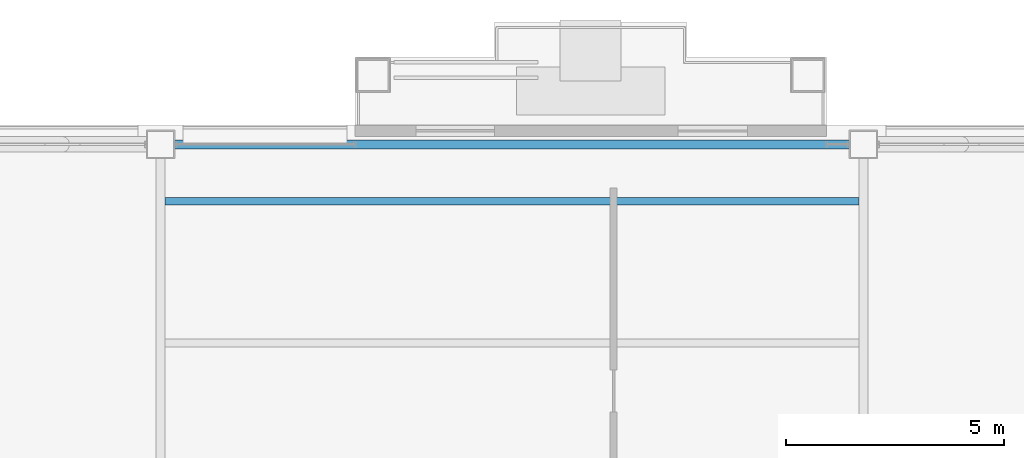
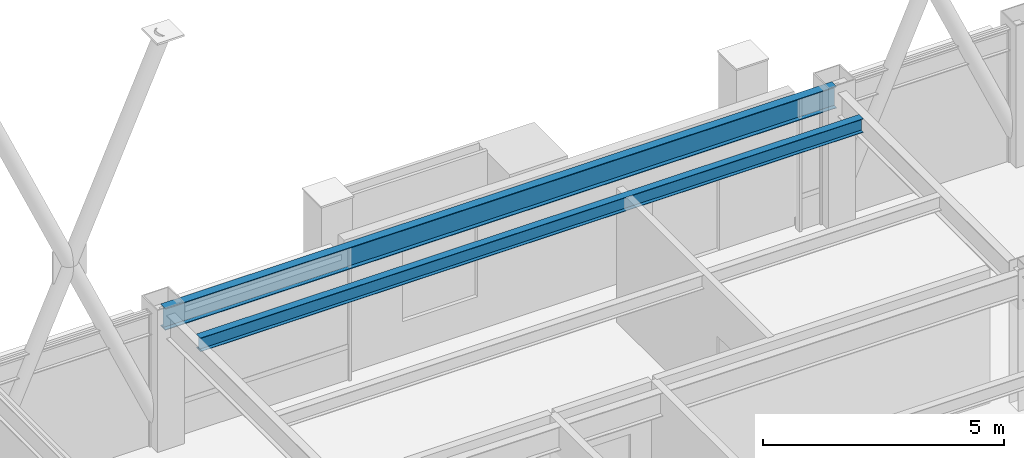
# One storey, part 21 of 30: 2 beams.
"""IFC4 building model written with IfcOpenShell, lengths in metres."""

import ifcopenshell
import ifcopenshell.guid

model = None  # the IFC model being written
_history = None  # IfcOwnerHistory: only IFC2X3 demands one
_inside = {}  # id of a spatial element -> (the spatial element, [elements in it])
_under = {}  # id of a project, library or spatial element -> (it, [spatial elements below it])
_declared = {}  # id of a project -> (the project, [libraries it declares])
_typed = {}  # id of a type object -> (the type object, [elements of that type])
_made_of = {}  # id of a material, layer set ... -> (it, [elements and type objects made of it])


def new_model(schema):
    """Start an empty IFC model of exactly this schema.

    Asked for "IFC4X3", IfcOpenShell would pick the latest addendum, in which some entities
    have other attributes; the version numbers below select the first issue.
    IFC2X3 requires an IfcOwnerHistory on every rooted entity: one is made here for all.
    """
    global model, _history
    if schema == "IFC4X3":
        model = ifcopenshell.file(schema_version=(4, 3, 0, 0))
    else:
        model = ifcopenshell.file(schema=schema)
    _inside.clear()
    _under.clear()
    _declared.clear()
    _typed.clear()
    _made_of.clear()
    _history = None
    if model.schema == "IFC2X3":
        org = make("IfcOrganization", Name="unknown")
        user = make(
            "IfcPersonAndOrganization",
            ThePerson=make("IfcPerson", FamilyName="unknown"),
            TheOrganization=org,
        )
        app = make(
            "IfcApplication",
            ApplicationDeveloper=org,
            Version="unknown",
            ApplicationFullName="unknown",
            ApplicationIdentifier="unknown",
        )
        _history = make(
            "IfcOwnerHistory",
            OwningUser=user,
            OwningApplication=app,
            ChangeAction="ADDED",
            CreationDate=0,
        )
    return model


def make(cls, **values):
    """One entity of the class cls with the attributes given. An attribute that is None is left unset."""
    return model.create_entity(
        cls, **{name: value for name, value in values.items() if value is not None}
    )


def rooted(cls, **values):
    """An entity with a GlobalId (a new one), such as an element, a storey or a relation."""
    return make(cls, GlobalId=ifcopenshell.guid.new(), OwnerHistory=_history, **values)


def si_unit(unit_type, name, prefix=None):
    """IfcSIUnit, for example si_unit("LENGTHUNIT", "METRE", prefix="MILLI")."""
    return make("IfcSIUnit", UnitType=unit_type, Prefix=prefix, Name=name)


def assignment(units):
    """IfcUnitAssignment: the units of a project."""
    return None if units is None else make("IfcUnitAssignment", Units=units)


def point(xyz):
    """IfcCartesianPoint."""
    return None if xyz is None else make("IfcCartesianPoint", Coordinates=xyz)


def direction(xyz):
    """IfcDirection."""
    return None if xyz is None else make("IfcDirection", DirectionRatios=xyz)


def frame(location, z_axis=None, x_axis=None):
    """IfcAxis2Placement3D, a coordinate frame: its origin and axes. An axis left out is left unset."""
    return make(
        "IfcAxis2Placement3D",
        Location=point(location),
        Axis=direction(z_axis),
        RefDirection=direction(x_axis),
    )


def frame_2d(location, x_axis=None):
    """IfcAxis2Placement2D, a coordinate frame in the plane: its origin and x axis."""
    return make(
        "IfcAxis2Placement2D", Location=point(location), RefDirection=direction(x_axis)
    )


def origin():
    """The frame at (0, 0, 0) with its axes left unset."""
    return frame((0.0, 0.0, 0.0))


def origin_2d():
    """The frame at (0, 0) in the plane with its x axis left unset."""
    return frame_2d((0.0, 0.0))


def place(relative_to, where):
    """IfcLocalPlacement: puts the frame where relative to a parent placement (None: the world)."""
    return make(
        "IfcLocalPlacement", PlacementRelTo=relative_to, RelativePlacement=where
    )


def context(
    kind, dimensions, precision=None, world=None, true_north=None, identifier=None
):
    """IfcGeometricRepresentationContext, for example the 3D "Model" context."""
    return make(
        "IfcGeometricRepresentationContext",
        ContextIdentifier=identifier,
        ContextType=kind,
        CoordinateSpaceDimension=dimensions,
        Precision=precision,
        WorldCoordinateSystem=world,
        TrueNorth=true_north,
    )


def subcontext(parent, identifier, kind, view, scale=None):
    """IfcGeometricRepresentationSubContext, for example "Body" below "Model"."""
    return make(
        "IfcGeometricRepresentationSubContext",
        ContextIdentifier=identifier,
        ContextType=kind,
        ParentContext=parent,
        TargetScale=scale,
        TargetView=view,
    )


def project(units=None, contexts=None):
    """IfcProject with its units and contexts."""
    return rooted(
        "IfcProject",
        Name="project",
        RepresentationContexts=contexts,
        UnitsInContext=assignment(units),
    )


def spatial(cls, under=None, at=None, **own):
    """A site, building, storey or space (cls), placed at a placement, below another one or the project."""
    s = rooted(cls, ObjectPlacement=at, **own)
    if under is not None:
        _under.setdefault(under.id(), (under, []))[1].append(s)
    return s


def profile(cls, at=None, kind="AREA", **sizes):
    """A parametric profile (cls). Its sizes go by their IFC names, for example OverallWidth=200.0."""
    return make(cls, ProfileType=kind, Position=at, **sizes)


def i_section(**sizes):
    """IfcIShapeProfileDef."""
    return profile("IfcIShapeProfileDef", **sizes)


def extrude(swept, where, along, depth):
    """IfcExtrudedAreaSolid: the profile swept, set in the frame where, extruded along a direction by depth."""
    return make(
        "IfcExtrudedAreaSolid",
        SweptArea=swept,
        Position=where,
        ExtrudedDirection=direction(along),
        Depth=depth,
    )


def shape(context_of_items, identifier, shape_type, items):
    """IfcShapeRepresentation: the items that make up one representation, for example the "Body"."""
    return make(
        "IfcShapeRepresentation",
        ContextOfItems=context_of_items,
        RepresentationIdentifier=identifier,
        RepresentationType=shape_type,
        Items=items,
    )


def material(Name=None, Category=None):
    """IfcMaterial."""
    return make("IfcMaterial", Name=Name, Category=Category)


def material_profile(
    of_material, cross_section, Name=None, Category=None, Priority=None
):
    """IfcMaterialProfile: a cross section and its material."""
    return make(
        "IfcMaterialProfile",
        Name=Name,
        Material=of_material,
        Profile=cross_section,
        Priority=Priority,
        Category=Category,
    )


def profile_set(profiles, Name=None, composite=None):
    """IfcMaterialProfileSet."""
    return make(
        "IfcMaterialProfileSet",
        Name=Name,
        MaterialProfiles=profiles,
        CompositeProfile=composite,
    )


def made_of(thing, what):
    """Note that an element or type object is made of a material, layer set ...; save() writes the relation."""
    if what is not None:
        _made_of.setdefault(what.id(), (what, []))[1].append(thing)
    return thing


def type_object(cls, material=None, **own):
    """A type object (cls), such as IfcWallType, which elements share."""
    return made_of(rooted(cls, **own), material)


def element(
    cls,
    number,
    at=None,
    inside=None,
    cuts=None,
    type_object=None,
    material=None,
    context=None,
    identifier="Body",
    shape_type=None,
    held_by="IfcProductDefinitionShape",
    body=None,
    shapes=None,
    **own,
):
    """One element of the class cls, such as IfcWall. Its Tag is "e" and its number.

    at: its placement. inside: the storey or other place that contains it. cuts: it is an
    opening in that element (IfcRelVoidsElement). A single representation is given by context,
    identifier, shape_type and body (its items); several are given by shapes. held_by: the class
    of the entity that holds the representations. save() writes the other relations.
    """
    e = rooted(cls, Tag="e%d" % number, ObjectPlacement=at, **own)
    if body is not None:
        shapes = [shape(context, identifier, shape_type, body)]
    if shapes is not None:
        e.Representation = make(held_by, Representations=shapes)
    if inside is not None:
        _inside.setdefault(inside.id(), (inside, []))[1].append(e)
    if cuts is not None:
        rooted(
            "IfcRelVoidsElement", RelatingBuildingElement=cuts, RelatedOpeningElement=e
        )
    if type_object is not None:
        _typed.setdefault(type_object.id(), (type_object, []))[1].append(e)
    return made_of(e, material)


def aggregate(whole, parts):
    """IfcRelAggregates: a whole, such as a stair, and the parts it consists of."""
    return rooted("IfcRelAggregates", RelatingObject=whole, RelatedObjects=parts)


def save(model, path):
    """Write the relations noted so far, then the file.

    IfcRelAggregates (storeys below a building ...), IfcRelContainedInSpatialStructure (elements
    in a storey), IfcRelDefinesByType, IfcRelAssociatesMaterial and IfcRelDeclares: one each for
    every whole, place, type object, material and project.
    """
    for whole, parts in _under.values():
        aggregate(whole, parts)
    for where, things in _inside.values():
        rooted(
            "IfcRelContainedInSpatialStructure",
            RelatedElements=things,
            RelatingStructure=where,
        )
    for kind, things in _typed.values():
        rooted("IfcRelDefinesByType", RelatedObjects=things, RelatingType=kind)
    for what, things in _made_of.values():
        rooted("IfcRelAssociatesMaterial", RelatedObjects=things, RelatingMaterial=what)
    for by, libraries in _declared.values():
        rooted("IfcRelDeclares", RelatingContext=by, RelatedDefinitions=libraries)
    model.write(path)


model = new_model("IFC4")

# Units and contexts
model_context = context("Model", 3, precision=1e-05, world=origin(), true_north=direction((0.0, 1.0)))
body_context = subcontext(model_context, "Body", "Model", "MODEL_VIEW")
ifc_project = project(units=[si_unit("LENGTHUNIT", "METRE"), si_unit("AREAUNIT", "SQUARE_METRE"), si_unit("VOLUMEUNIT", "CUBIC_METRE"), si_unit("PLANEANGLEUNIT", "RADIAN"), si_unit("MASSUNIT", "GRAM", prefix="KILO")], contexts=[model_context])

# Site, building, storey
site_placement = place(None, origin())
site = spatial("IfcSite", under=ifc_project, at=site_placement, CompositionType="ELEMENT")
building_placement = place(site_placement, origin())
building = spatial("IfcBuilding", under=site, at=building_placement, Name="Brelmoor Portico Tower", CompositionType="ELEMENT")
storey_placement = place(building_placement, frame((0.0, 0.0, 236.39990234375)))
storey = spatial("IfcBuildingStorey", under=building, at=storey_placement, Name="L62", CompositionType="ELEMENT", Elevation=236.39990234375)

# Beams
ifc_material = material(Name="Steel Q355B", Category="steel")
ifc_material_profile_1 = material_profile(ifc_material, i_section(OverallWidth=0.175048828125, OverallDepth=0.35009765625, WebThickness=0.007080078125, FlangeThickness=0.010986328125, at=origin_2d()), Name="HN 350x175x7x11")
ifc_profile_set_1 = profile_set([ifc_material_profile_1], Name="Steel Q355B")
beam_type_1 = type_object("IfcBeamType", Name="BM-JS-350", PredefinedType="JOIST", material=ifc_profile_set_1)
beam_1_placement = place(storey_placement, frame((-7.949951171875, 16.25, 3.22509765625), z_axis=(1.0, 0.0, 0.0), x_axis=(0.0, 1.0, 0.0)))
element("IfcBeam", 1, at=beam_1_placement, inside=storey, type_object=beam_type_1, Name="L62 Secondary Composite Joist JS-C06", PredefinedType="JOIST", context=body_context, shape_type="SweptSolid", body=[
    extrude(i_section(OverallWidth=0.175048828125, OverallDepth=0.35009765625, WebThickness=0.007080078125, FlangeThickness=0.010986328125, at=origin_2d()), origin(), (0.0, 0.0, 1.0), 15.89990234375),
])
ifc_material_profile_2 = material_profile(ifc_material, i_section(OverallWidth=0.199951171875, OverallDepth=0.550048828125, WebThickness=0.010009765625, FlangeThickness=0.01611328125, at=origin_2d()), Name="HN 550x200x10x16")
ifc_profile_set_2 = profile_set([ifc_material_profile_2], Name="Steel Q355B")
beam_type_2 = type_object("IfcBeamType", Name="BM-SP-550", PredefinedType="SPANDREL", material=ifc_profile_set_2)
beam_2_placement = place(storey_placement, frame((-8.050048828125, 17.550048828125, 3.125), z_axis=(1.0, 0.0, 0.0), x_axis=(0.0, 1.0, 0.0)))
element("IfcBeam", 2, at=beam_2_placement, inside=storey, type_object=beam_type_2, Name="L62 Perimeter Spandrel Beam SP-09", PredefinedType="SPANDREL", context=body_context, shape_type="SweptSolid", body=[
    extrude(i_section(OverallWidth=0.199951171875, OverallDepth=0.550048828125, WebThickness=0.010009765625, FlangeThickness=0.01611328125, at=origin_2d()), origin(), (0.0, 0.0, 1.0), 16.10009765625),
])

save(model, "model.ifc")
